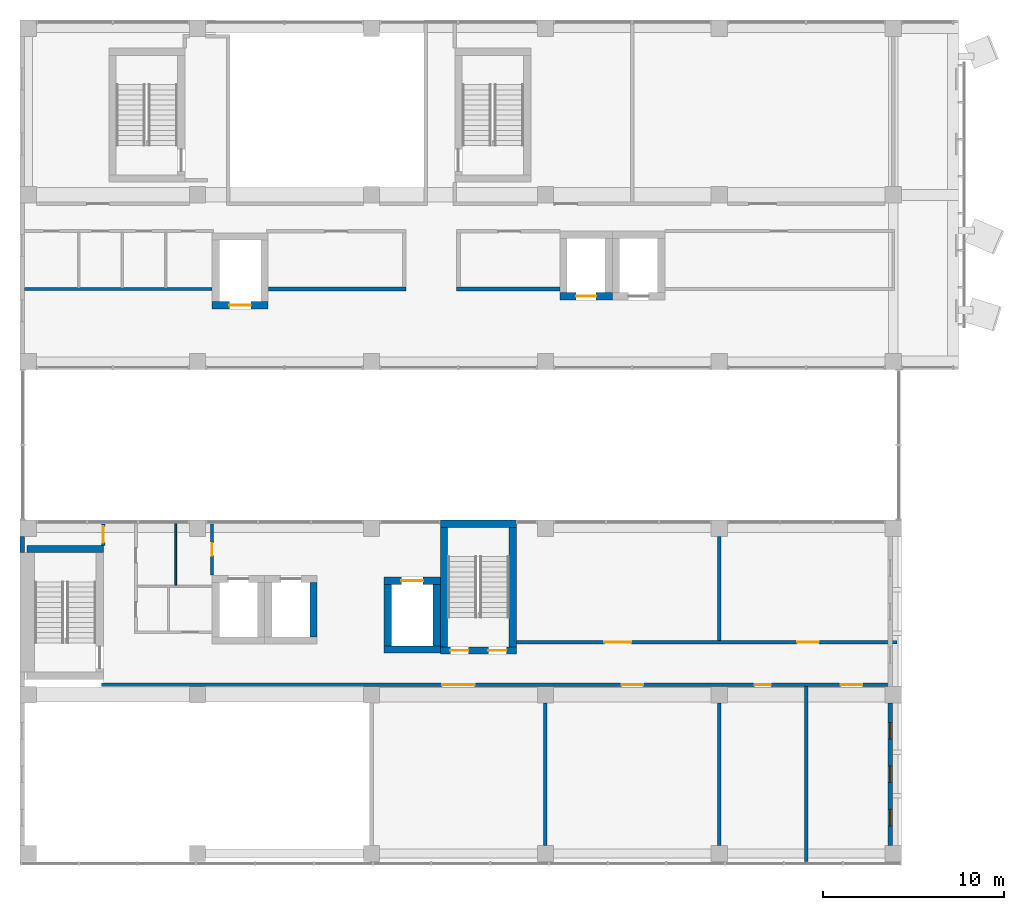
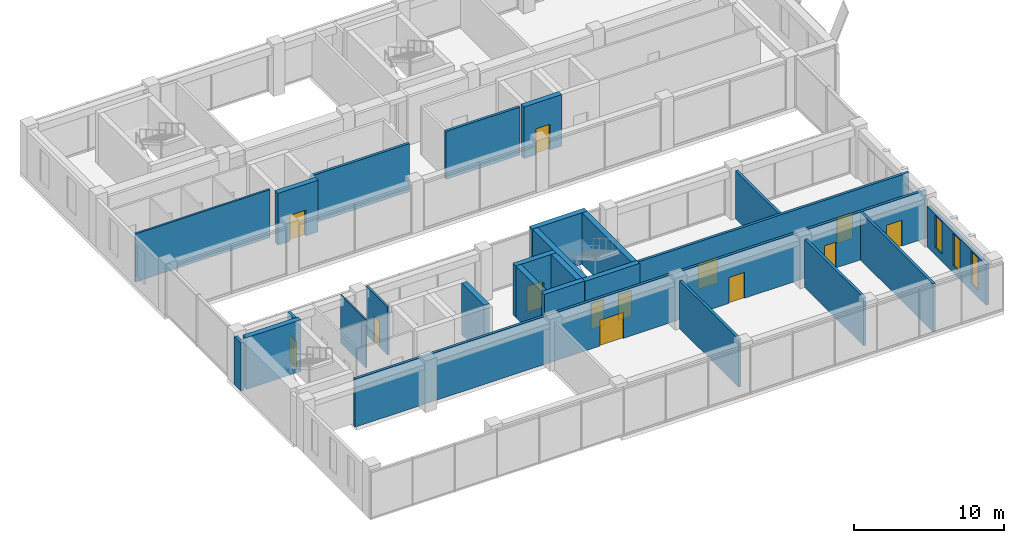
# One storey, part 28 of 37: 26 walls, 13 doors, 3 windows, 16 openings.
"""IFC4 building model written with IfcOpenShell, lengths in metres."""

from ifc_helpers import new_model, si_unit, direction, frame, frame_2d, origin, place, context, subcontext, project, spatial, rectangle, extrude, material, layer, layer_set, layer_usage, type_object, element, fill, save


model = new_model("IFC4")

# Units and contexts
model_context = context("Model", 3, precision=1e-05, world=origin(), true_north=direction((0.0, 1.0)))
body_context = subcontext(model_context, "Body", "Model", "MODEL_VIEW")
ifc_project = project(units=[si_unit("LENGTHUNIT", "METRE"), si_unit("AREAUNIT", "SQUARE_METRE"), si_unit("VOLUMEUNIT", "CUBIC_METRE"), si_unit("PLANEANGLEUNIT", "RADIAN"), si_unit("MASSUNIT", "GRAM", prefix="KILO")], contexts=[model_context])

# Site, building, storey
site_placement = place(None, origin())
site = spatial("IfcSite", under=ifc_project, at=site_placement, CompositionType="ELEMENT")
building_placement = place(site_placement, origin())
building = spatial("IfcBuilding", under=site, at=building_placement, Name="Nzadi Deep Aquarium and Research Tower", CompositionType="ELEMENT")
storey_placement = place(building_placement, frame((0.0, 0.0, 61.300048828125)))
storey = spatial("IfcBuildingStorey", under=building, at=storey_placement, Name="L12", CompositionType="ELEMENT", Elevation=61.300048828125)

# Wall
ifc_material_1 = material(Name="Graphite aluminium shingle", Category="aluminium")
ifc_layer_1 = layer(ifc_material_1, 0.050048828125, Category="cladding")
ifc_material_2 = material(Name="Concrete C35/45", Category="concrete")
ifc_layer_2 = layer(ifc_material_2, 0.10009765625, Category="cladding")
ifc_material_3 = material(Name="Mineral wool insulation")
ifc_layer_3 = layer(ifc_material_3, 0.070068359375, Category="insulation")
ifc_material_4 = material(Name="Gypsum board lining")
ifc_layer_4 = layer(ifc_material_4, 0.030029296875, Category="lining")
ifc_layer_set_1 = layer_set([ifc_layer_1, ifc_layer_2, ifc_layer_3, ifc_layer_4], Name="Graphite aluminium shingle, Concrete C35/45, Mineral wool insulation, Gypsum board lining")
ifc_layer_usage_1 = layer_usage(ifc_layer_set_1, "AXIS2", "POSITIVE", -0.125)
wall_type_1 = type_object("IfcWallType", Name="End wall shingle over board-formed concrete 250", PredefinedType="ELEMENTEDWALL", material=ifc_layer_set_1)
wall_1_placement = place(storey_placement, frame((-0.074462890625, 17.949951171875, 0.0), z_axis=(0.0, 0.0, 1.0), x_axis=(0.0, -1.0, 0.0)))
element("IfcWall", 1, at=wall_1_placement, inside=storey, type_object=wall_type_1, material=ifc_layer_usage_1, Name="End wall blade A west L12", PredefinedType="ELEMENTEDWALL", context=body_context, shape_type="SweptSolid", body=[
    extrude(rectangle(XDim=0.89990234375, YDim=0.25, at=frame_2d((0.449951171875, 0.0))), origin(), (0.0, 0.0, 1.0), 3.89990234375),
])

# Wall, openings, windows
ifc_layer_5 = layer(ifc_material_1, 0.050048828125, Category="cladding")
ifc_layer_6 = layer(ifc_material_2, 0.10009765625, Category="cladding")
ifc_layer_7 = layer(ifc_material_3, 0.070068359375, Category="insulation")
ifc_layer_8 = layer(ifc_material_4, 0.030029296875, Category="lining")
ifc_layer_set_2 = layer_set([ifc_layer_5, ifc_layer_6, ifc_layer_7, ifc_layer_8], Name="Graphite aluminium shingle, Concrete C35/45, Mineral wool insulation, Gypsum board lining")
ifc_layer_usage_2 = layer_usage(ifc_layer_set_2, "AXIS2", "POSITIVE", -0.125)
wall_type_2 = type_object("IfcWallType", Name="End wall shingle over board-formed concrete 250, 3.30 m high", PredefinedType="ELEMENTEDWALL", material=ifc_layer_set_2)
wall_2_placement = place(storey_placement, frame((47.824951171875, 0.89990234375, 0.0), z_axis=(0.0, 0.0, 1.0), x_axis=(0.0, 1.0, 0.0)))
wall_2 = element("IfcWall", 2, at=wall_2_placement, inside=storey, type_object=wall_type_2, material=ifc_layer_usage_2, Name="End wall blade A east L12", PredefinedType="ELEMENTEDWALL", context=body_context, shape_type="SweptSolid", body=[
    extrude(rectangle(XDim=7.85009765625, YDim=0.25, at=frame_2d((3.925048828125, 0.0))), origin(), (0.0, 0.0, 1.0), 3.300048828125),
])
opening_1_placement = place(wall_2_placement, frame((1.074951171875, 0.0, 0.60009765625)))
opening_1 = element("IfcOpeningElement", 3, at=opening_1_placement, cuts=wall_2, Name="Opening WN03", PredefinedType="OPENING", context=body_context, shape_type="SweptSolid", body=[
    extrude(rectangle(XDim=0.89990234375, YDim=2.60009765625, at=frame_2d((0.449951171875, 1.300048828125))), frame((0.0, 0.135009765625, 0.0), z_axis=(0.0, -1.0, 0.0), x_axis=(1.0, 0.0, 0.0)), (0.0, 0.0, 1.0), 0.27001953125),
])
opening_2_placement = place(wall_2_placement, frame((3.47509765625, 0.0, 0.60009765625)))
opening_2 = element("IfcOpeningElement", 4, at=opening_2_placement, cuts=wall_2, Name="Opening WN03", PredefinedType="OPENING", context=body_context, shape_type="SweptSolid", body=[
    extrude(rectangle(XDim=0.89990234375, YDim=2.60009765625, at=frame_2d((0.449951171875, 1.300048828125))), frame((0.0, 0.135009765625, 0.0), z_axis=(0.0, -1.0, 0.0), x_axis=(1.0, 0.0, 0.0)), (0.0, 0.0, 1.0), 0.27001953125),
])
opening_3_placement = place(wall_2_placement, frame((5.875, 0.0, 0.60009765625)))
opening_3 = element("IfcOpeningElement", 5, at=opening_3_placement, cuts=wall_2, Name="Opening WN03", PredefinedType="OPENING", context=body_context, shape_type="SweptSolid", body=[
    extrude(rectangle(XDim=0.89990234375, YDim=2.60009765625, at=frame_2d((0.449951171875, 1.300048828125))), frame((0.0, 0.135009765625, 0.0), z_axis=(0.0, -1.0, 0.0), x_axis=(1.0, 0.0, 0.0)), (0.0, 0.0, 1.0), 0.27001953125),
])
ifc_material_5 = material(Name="Aluminium window, sage tint glazing", Category="aluminium")
window_type = type_object("IfcWindowType", Name="Slot window 900x2600 sill 600", PartitioningType="SINGLE_PANEL", PredefinedType="WINDOW", material=ifc_material_5)
window_1_placement = place(opening_1_placement, origin())
window_1 = element("IfcWindow", 6, at=window_1_placement, inside=storey, type_object=window_type, Name="Slot window L12 AE", OverallHeight=2.60009765625, OverallWidth=0.89990234375, PartitioningType="SINGLE_PANEL", PredefinedType="WINDOW", context=body_context, shape_type="SweptSolid", body=[
    extrude(rectangle(XDim=0.89990234375, YDim=2.60009765625, at=frame_2d((0.449951171875, 1.300048828125))), frame((0.0, 0.030029296875, 0.0), z_axis=(0.0, -1.0, 0.0), x_axis=(1.0, 0.0, 0.0)), (0.0, 0.0, 1.0), 0.06005859375),
])
fill(opening_1, window_1)
window_2_placement = place(opening_2_placement, origin())
window_2 = element("IfcWindow", 7, at=window_2_placement, inside=storey, type_object=window_type, Name="Slot window L12 AE", OverallHeight=2.60009765625, OverallWidth=0.89990234375, PartitioningType="SINGLE_PANEL", PredefinedType="WINDOW", context=body_context, shape_type="SweptSolid", body=[
    extrude(rectangle(XDim=0.89990234375, YDim=2.60009765625, at=frame_2d((0.449951171875, 1.300048828125))), frame((0.0, 0.030029296875, 0.0), z_axis=(0.0, -1.0, 0.0), x_axis=(1.0, 0.0, 0.0)), (0.0, 0.0, 1.0), 0.06005859375),
])
fill(opening_2, window_2)
window_3_placement = place(opening_3_placement, origin())
window_3 = element("IfcWindow", 8, at=window_3_placement, inside=storey, type_object=window_type, Name="Slot window L12 AE", OverallHeight=2.60009765625, OverallWidth=0.89990234375, PartitioningType="SINGLE_PANEL", PredefinedType="WINDOW", context=body_context, shape_type="SweptSolid", body=[
    extrude(rectangle(XDim=0.89990234375, YDim=2.60009765625, at=frame_2d((0.449951171875, 1.300048828125))), frame((0.0, 0.030029296875, 0.0), z_axis=(0.0, -1.0, 0.0), x_axis=(1.0, 0.0, 0.0)), (0.0, 0.0, 1.0), 0.06005859375),
])
fill(opening_3, window_3)

# Walls
ifc_material_6 = material(Name="Blockwork masonry", Category="masonry")
ifc_layer_9 = layer(ifc_material_6, 0.10009765625)
ifc_layer_set_3 = layer_set([ifc_layer_9], Name="Blockwork masonry")
wall_type_3 = type_object("IfcWallType", Name="Partition 100 EI 30", PredefinedType="PARTITIONING", material=ifc_layer_set_3)
wall_3_placement = place(storey_placement, frame((8.39990234375, 15.25, 0.0), z_axis=(0.0, 0.0, 1.0), x_axis=(0.0, 1.0, 0.0)))
element("IfcWall", 9, at=wall_3_placement, inside=storey, type_object=wall_type_3, Name="W-Z1-L12-P013", PredefinedType="PARTITIONING", context=body_context, shape_type="SweptSolid", body=[
    extrude(rectangle(XDim=3.39404296875, YDim=0.10009765625, at=frame_2d((1.697021484375, 0.0))), origin(), (0.0, 0.0, 1.0), 3.89990234375),
])
ifc_material_7 = material(Name="Blockwork masonry", Category="masonry")
ifc_layer_10 = layer(ifc_material_7, 0.14990234375)
ifc_layer_set_4 = layer_set([ifc_layer_10], Name="Blockwork masonry")
wall_type_4 = type_object("IfcWallType", Name="Partition 150 EI 60", PredefinedType="PARTITIONING", material=ifc_layer_set_4)
wall_4_placement = place(storey_placement, frame((0.055908203125, 31.60009765625, 0.0), z_axis=(0.0, 0.0, 1.0), x_axis=(1.0, 0.0, 0.0)))
element("IfcWall", 10, at=wall_4_placement, inside=storey, type_object=wall_type_4, Name="W-Z1-L12-P001", PredefinedType="PARTITIONING", context=body_context, shape_type="SweptSolid", body=[
    extrude(rectangle(XDim=10.338134765625, YDim=0.14990234375, at=frame_2d((5.1689453125, 0.0))), origin(), (0.0, 0.0, 1.0), 3.89990234375),
])

# Wall, opening, door
wall_5_placement = place(storey_placement, frame((10.39990234375, 15.805908203125, 0.0), z_axis=(0.0, 0.0, 1.0), x_axis=(0.0, 1.0, 0.0)))
wall_5 = element("IfcWall", 11, at=wall_5_placement, inside=storey, type_object=wall_type_4, Name="W-Z1-L12-P018", PredefinedType="PARTITIONING", context=body_context, shape_type="SweptSolid", body=[
    extrude(rectangle(XDim=2.838134765625, YDim=0.14990234375, at=frame_2d((1.4189453125, 0.0))), origin(), (0.0, 0.0, 1.0), 3.89990234375),
])
opening_4_placement = place(wall_5_placement, frame((1.073974609375, 0.0, 0.0)))
opening_4 = element("IfcOpeningElement", 12, at=opening_4_placement, cuts=wall_5, Name="Opening D131005", PredefinedType="OPENING", context=body_context, shape_type="SweptSolid", body=[
    extrude(rectangle(XDim=0.699951171875, YDim=2.10009765625, at=frame_2d((0.35009765625, 1.050048828125))), frame((0.0, 0.0849609375, 0.0), z_axis=(0.0, -1.0, 0.0), x_axis=(1.0, 0.0, 0.0)), (0.0, 0.0, 1.0), 0.169921875),
])
ifc_material_8 = material(Name="Fire-rated steel door", Category="steel")
ifc_layer_11 = layer(ifc_material_8, 0.050048828125)
ifc_layer_set_5 = layer_set([ifc_layer_11], Name="Fire-rated steel door")
door_type_1 = type_object("IfcDoorType", Name="Door 700x2100 EI 60 single", OperationType="SINGLE_SWING_LEFT", PredefinedType="DOOR", material=ifc_layer_set_5)
door_1_placement = place(opening_4_placement, origin())
door_1 = element("IfcDoor", 13, at=door_1_placement, inside=storey, type_object=door_type_1, Name="D131005", OperationType="SINGLE_SWING_LEFT", OverallHeight=2.10009765625, OverallWidth=0.699951171875, PredefinedType="DOOR", context=body_context, shape_type="SweptSolid", body=[
    extrude(rectangle(XDim=0.699951171875, YDim=2.10009765625, at=frame_2d((0.35009765625, 1.050048828125))), frame((0.0, 0.02490234375, 0.0), z_axis=(0.0, -1.0, 0.0), x_axis=(1.0, 0.0, 0.0)), (0.0, 0.0, 1.0), 0.050048828125),
])
fill(opening_4, door_1)

# Wall, openings, doors
ifc_material_9 = material(Name="Blockwork masonry", Category="masonry")
ifc_layer_12 = layer(ifc_material_9, 0.199951171875)
ifc_layer_set_6 = layer_set([ifc_layer_12], Name="Blockwork masonry")
wall_type_5 = type_object("IfcWallType", Name="Partition 200 EI 120", PredefinedType="PARTITIONING", material=ifc_layer_set_6)
wall_6_placement = place(storey_placement, frame((4.300048828125, 9.75, 0.0), z_axis=(0.0, 0.0, 1.0), x_axis=(1.0, 0.0, 0.0)))
wall_6 = element("IfcWall", 14, at=wall_6_placement, inside=storey, type_object=wall_type_5, Name="W-Z1-L12-P005", PredefinedType="PARTITIONING", context=body_context, shape_type="SweptSolid", body=[
    extrude(rectangle(XDim=43.89404296875, YDim=0.199951171875, at=frame_2d((21.947021484375, 0.0))), origin(), (0.0, 0.0, 1.0), 3.89990234375),
])
opening_5_placement = place(wall_6_placement, frame((18.800048828125, 0.0, 0.0)))
opening_5 = element("IfcOpeningElement", 15, at=opening_5_placement, cuts=wall_6, Name="Opening D131006", PredefinedType="OPENING", context=body_context, shape_type="SweptSolid", body=[
    extrude(rectangle(XDim=1.800048828125, YDim=2.10009765625, at=frame_2d((0.89990234375, 1.050048828125))), frame((0.0, 0.110107421875, 0.0), z_axis=(0.0, -1.0, 0.0), x_axis=(1.0, 0.0, 0.0)), (0.0, 0.0, 1.0), 0.22021484375),
])
opening_6_placement = place(wall_6_placement, frame((28.699951171875, 0.0, 0.0)))
opening_6 = element("IfcOpeningElement", 16, at=opening_6_placement, cuts=wall_6, Name="Opening D131007", PredefinedType="OPENING", context=body_context, shape_type="SweptSolid", body=[
    extrude(rectangle(XDim=1.199951171875, YDim=2.10009765625, at=frame_2d((0.60009765625, 1.050048828125))), frame((0.0, 0.110107421875, 0.0), z_axis=(0.0, -1.0, 0.0), x_axis=(1.0, 0.0, 0.0)), (0.0, 0.0, 1.0), 0.22021484375),
])
opening_7_placement = place(wall_6_placement, frame((36.050048828125, 0.0, 0.0)))
opening_7 = element("IfcOpeningElement", 17, at=opening_7_placement, cuts=wall_6, Name="Opening D131008", PredefinedType="OPENING", context=body_context, shape_type="SweptSolid", body=[
    extrude(rectangle(XDim=0.89990234375, YDim=2.10009765625, at=frame_2d((0.449951171875, 1.050048828125))), frame((0.0, 0.110107421875, 0.0), z_axis=(0.0, -1.0, 0.0), x_axis=(1.0, 0.0, 0.0)), (0.0, 0.0, 1.0), 0.22021484375),
])
opening_8_placement = place(wall_6_placement, frame((40.800048828125, 0.0, 0.0)))
opening_8 = element("IfcOpeningElement", 18, at=opening_8_placement, cuts=wall_6, Name="Opening D131009", PredefinedType="OPENING", context=body_context, shape_type="SweptSolid", body=[
    extrude(rectangle(XDim=1.199951171875, YDim=2.10009765625, at=frame_2d((0.60009765625, 1.050048828125))), frame((0.0, 0.110107421875, 0.0), z_axis=(0.0, -1.0, 0.0), x_axis=(1.0, 0.0, 0.0)), (0.0, 0.0, 1.0), 0.22021484375),
])
ifc_material_10 = material(Name="Fire-rated steel door", Category="steel")
ifc_layer_13 = layer(ifc_material_10, 0.050048828125)
ifc_layer_set_7 = layer_set([ifc_layer_13], Name="Fire-rated steel door")
door_type_2 = type_object("IfcDoorType", Name="Door 1200x2100 EI 120 single", OperationType="SINGLE_SWING_LEFT", PredefinedType="DOOR", material=ifc_layer_set_7)
door_2_placement = place(opening_6_placement, origin())
door_2 = element("IfcDoor", 19, at=door_2_placement, inside=storey, type_object=door_type_2, Name="D131007", OperationType="SINGLE_SWING_RIGHT", OverallHeight=2.10009765625, OverallWidth=1.199951171875, PredefinedType="DOOR", context=body_context, shape_type="SweptSolid", body=[
    extrude(rectangle(XDim=1.199951171875, YDim=2.10009765625, at=frame_2d((0.60009765625, 1.050048828125))), frame((0.0, 0.02490234375, 0.0), z_axis=(0.0, -1.0, 0.0), x_axis=(1.0, 0.0, 0.0)), (0.0, 0.0, 1.0), 0.050048828125),
])
fill(opening_6, door_2)
door_3_placement = place(opening_8_placement, origin())
door_3 = element("IfcDoor", 20, at=door_3_placement, inside=storey, type_object=door_type_2, Name="D131009", OperationType="SINGLE_SWING_LEFT", OverallHeight=2.10009765625, OverallWidth=1.199951171875, PredefinedType="DOOR", context=body_context, shape_type="SweptSolid", body=[
    extrude(rectangle(XDim=1.199951171875, YDim=2.10009765625, at=frame_2d((0.60009765625, 1.050048828125))), frame((0.0, 0.02490234375, 0.0), z_axis=(0.0, -1.0, 0.0), x_axis=(1.0, 0.0, 0.0)), (0.0, 0.0, 1.0), 0.050048828125),
])
fill(opening_8, door_3)
ifc_material_11 = material(Name="Fire-rated steel door", Category="steel")
ifc_layer_14 = layer(ifc_material_11, 0.050048828125)
ifc_layer_set_8 = layer_set([ifc_layer_14], Name="Fire-rated steel door")
door_type_3 = type_object("IfcDoorType", Name="Door 1800x2100 EI 120 double", OperationType="DOUBLE_DOOR_SINGLE_SWING", PredefinedType="DOOR", material=ifc_layer_set_8)
door_4_placement = place(opening_5_placement, origin())
door_4 = element("IfcDoor", 21, at=door_4_placement, inside=storey, type_object=door_type_3, Name="D131006", OperationType="DOUBLE_DOOR_SINGLE_SWING", OverallHeight=2.10009765625, OverallWidth=1.800048828125, PredefinedType="DOOR", context=body_context, shape_type="SweptSolid", body=[
    extrude(rectangle(XDim=1.800048828125, YDim=2.10009765625, at=frame_2d((0.89990234375, 1.050048828125))), frame((0.0, 0.02490234375, 0.0), z_axis=(0.0, -1.0, 0.0), x_axis=(1.0, 0.0, 0.0)), (0.0, 0.0, 1.0), 0.050048828125),
])
fill(opening_5, door_4)
ifc_material_12 = material(Name="Fire-rated steel door", Category="steel")
ifc_layer_15 = layer(ifc_material_12, 0.050048828125)
ifc_layer_set_9 = layer_set([ifc_layer_15], Name="Fire-rated steel door")
door_type_4 = type_object("IfcDoorType", Name="Door 900x2100 EI 120 single", OperationType="SINGLE_SWING_LEFT", PredefinedType="DOOR", material=ifc_layer_set_9)
door_5_placement = place(opening_7_placement, origin())
door_5 = element("IfcDoor", 22, at=door_5_placement, inside=storey, type_object=door_type_4, Name="D131008", OperationType="SINGLE_SWING_LEFT", OverallHeight=2.10009765625, OverallWidth=0.89990234375, PredefinedType="DOOR", context=body_context, shape_type="SweptSolid", body=[
    extrude(rectangle(XDim=0.89990234375, YDim=2.10009765625, at=frame_2d((0.449951171875, 1.050048828125))), frame((0.0, 0.02490234375, 0.0), z_axis=(0.0, -1.0, 0.0), x_axis=(1.0, 0.0, 0.0)), (0.0, 0.0, 1.0), 0.050048828125),
])
fill(opening_7, door_5)

# Wall, opening, door
wall_7_placement = place(storey_placement, frame((4.39990234375, 17.4560546875, 0.0), z_axis=(0.0, 0.0, 1.0), x_axis=(0.0, 1.0, 0.0)))
wall_7 = element("IfcWall", 23, at=wall_7_placement, inside=storey, type_object=wall_type_5, Name="W-Z1-L12-P006", PredefinedType="PARTITIONING", context=body_context, shape_type="SweptSolid", body=[
    extrude(rectangle(XDim=1.18798828125, YDim=0.199951171875, at=frame_2d((0.593994140625, 0.0))), origin(), (0.0, 0.0, 1.0), 3.89990234375),
])
opening_9_placement = place(wall_7_placement, frame((0.14404296875, 0.0, 0.0)))
opening_9 = element("IfcOpeningElement", 24, at=opening_9_placement, cuts=wall_7, Name="Opening D131001", PredefinedType="OPENING", context=body_context, shape_type="SweptSolid", body=[
    extrude(rectangle(XDim=0.89990234375, YDim=2.10009765625, at=frame_2d((0.449951171875, 1.050048828125))), frame((0.0, 0.110107421875, 0.0), z_axis=(0.0, -1.0, 0.0), x_axis=(1.0, 0.0, 0.0)), (0.0, 0.0, 1.0), 0.22021484375),
])
door_6_placement = place(opening_9_placement, origin())
door_6 = element("IfcDoor", 25, at=door_6_placement, inside=storey, type_object=door_type_4, Name="D131001", OperationType="SINGLE_SWING_LEFT", OverallHeight=2.10009765625, OverallWidth=0.89990234375, PredefinedType="DOOR", context=body_context, shape_type="SweptSolid", body=[
    extrude(rectangle(XDim=0.89990234375, YDim=2.10009765625, at=frame_2d((0.449951171875, 1.050048828125))), frame((0.0, 0.02490234375, 0.0), z_axis=(0.0, -1.0, 0.0), x_axis=(1.0, 0.0, 0.0)), (0.0, 0.0, 1.0), 0.050048828125),
])
fill(opening_9, door_6)

# Walls
wall_8_placement = place(storey_placement, frame((13.506103515625, 31.60009765625, 0.0), z_axis=(0.0, 0.0, 1.0), x_axis=(1.0, 0.0, 0.0)))
element("IfcWall", 26, at=wall_8_placement, inside=storey, type_object=wall_type_5, Name="W-Z1-L12-P022", PredefinedType="PARTITIONING", context=body_context, shape_type="SweptSolid", body=[
    extrude(rectangle(XDim=7.593994140625, YDim=0.199951171875, at=frame_2d((3.796875, 0.0))), origin(), (0.0, 0.0, 1.0), 3.89990234375),
])
wall_9_placement = place(storey_placement, frame((23.89990234375, 31.60009765625, 0.0), z_axis=(0.0, 0.0, 1.0), x_axis=(1.0, 0.0, 0.0)))
element("IfcWall", 27, at=wall_9_placement, inside=storey, type_object=wall_type_5, Name="W-Z1-L12-P030", PredefinedType="PARTITIONING", context=body_context, shape_type="SweptSolid", body=[
    extrude(rectangle(XDim=5.694091796875, YDim=0.199951171875, at=frame_2d((2.84716796875, 0.0))), origin(), (0.0, 0.0, 1.0), 3.89990234375),
])

# Wall, openings, doors
wall_10_placement = place(storey_placement, frame((27.2060546875, 12.10009765625, 0.0), z_axis=(0.0, 0.0, 1.0), x_axis=(1.0, 0.0, 0.0)))
wall_10 = element("IfcWall", 28, at=wall_10_placement, inside=storey, type_object=wall_type_5, Name="W-Z1-L12-P033", PredefinedType="PARTITIONING", context=body_context, shape_type="SweptSolid", body=[
    extrude(rectangle(XDim=20.988037109375, YDim=0.199951171875, at=frame_2d((10.494140625, 0.0))), origin(), (0.0, 0.0, 1.0), 3.89990234375),
])
opening_10_placement = place(wall_10_placement, frame((4.843994140625, 0.0, 0.0)))
opening_10 = element("IfcOpeningElement", 29, at=opening_10_placement, cuts=wall_10, Name="Opening D131010", PredefinedType="OPENING", context=body_context, shape_type="SweptSolid", body=[
    extrude(rectangle(XDim=1.5, YDim=2.10009765625, at=frame_2d((0.75, 1.050048828125))), frame((0.0, 0.110107421875, 0.0), z_axis=(0.0, -1.0, 0.0), x_axis=(1.0, 0.0, 0.0)), (0.0, 0.0, 1.0), 0.22021484375),
])
opening_11_placement = place(wall_10_placement, frame((15.493896484375, 0.0, 0.0)))
opening_11 = element("IfcOpeningElement", 30, at=opening_11_placement, cuts=wall_10, Name="Opening D131011", PredefinedType="OPENING", context=body_context, shape_type="SweptSolid", body=[
    extrude(rectangle(XDim=1.199951171875, YDim=2.10009765625, at=frame_2d((0.60009765625, 1.050048828125))), frame((0.0, 0.110107421875, 0.0), z_axis=(0.0, -1.0, 0.0), x_axis=(1.0, 0.0, 0.0)), (0.0, 0.0, 1.0), 0.22021484375),
])
door_7_placement = place(opening_11_placement, origin())
door_7 = element("IfcDoor", 31, at=door_7_placement, inside=storey, type_object=door_type_2, Name="D131011", OperationType="SINGLE_SWING_RIGHT", OverallHeight=2.10009765625, OverallWidth=1.199951171875, PredefinedType="DOOR", context=body_context, shape_type="SweptSolid", body=[
    extrude(rectangle(XDim=1.199951171875, YDim=2.10009765625, at=frame_2d((0.60009765625, 1.050048828125))), frame((0.0, 0.02490234375, 0.0), z_axis=(0.0, -1.0, 0.0), x_axis=(1.0, 0.0, 0.0)), (0.0, 0.0, 1.0), 0.050048828125),
])
fill(opening_11, door_7)
ifc_material_13 = material(Name="Fire-rated steel door", Category="steel")
ifc_layer_16 = layer(ifc_material_13, 0.050048828125)
ifc_layer_set_10 = layer_set([ifc_layer_16], Name="Fire-rated steel door")
door_type_5 = type_object("IfcDoorType", Name="Door 1500x2100 EI 120 double", OperationType="DOUBLE_DOOR_SINGLE_SWING", PredefinedType="DOOR", material=ifc_layer_set_10)
door_8_placement = place(opening_10_placement, origin())
door_8 = element("IfcDoor", 32, at=door_8_placement, inside=storey, type_object=door_type_5, Name="D131010", OperationType="DOUBLE_DOOR_SINGLE_SWING", OverallHeight=2.10009765625, OverallWidth=1.5, PredefinedType="DOOR", context=body_context, shape_type="SweptSolid", body=[
    extrude(rectangle(XDim=1.5, YDim=2.10009765625, at=frame_2d((0.75, 1.050048828125))), frame((0.0, 0.02490234375, 0.0), z_axis=(0.0, -1.0, 0.0), x_axis=(1.0, 0.0, 0.0)), (0.0, 0.0, 1.0), 0.050048828125),
])
fill(opening_10, door_8)

# Walls
for number, where, z_axis, x_axis, name in (
    (33, (28.800048828125, 0.89990234375, 0.0), (0.0, 0.0, 1.0), (0.0, 1.0, 0.0), "W-Z1-L12-P034"),
    (34, (38.39990234375, 0.89990234375, 0.0), (0.0, 0.0, 1.0), (0.0, 1.0, 0.0), "W-Z1-L12-P039"),
):
    element("IfcWall", number, at=place(storey_placement, frame(where, z_axis=z_axis, x_axis=x_axis)), inside=storey, type_object=wall_type_5, Name=name, PredefinedType="PARTITIONING", context=body_context, shape_type="SweptSolid", body=[
        extrude(rectangle(XDim=7.85009765625, YDim=0.199951171875, at=frame_2d((3.925048828125, 0.0))), origin(), (0.0, 0.0, 1.0), 3.89990234375),
    ])
wall_11_placement = place(storey_placement, frame((38.39990234375, 12.199951171875, 0.0), z_axis=(0.0, 0.0, 1.0), x_axis=(0.0, 1.0, 0.0)))
element("IfcWall", 35, at=wall_11_placement, inside=storey, type_object=wall_type_5, Name="W-Z1-L12-P040", PredefinedType="PARTITIONING", context=body_context, shape_type="SweptSolid", body=[
    extrude(rectangle(XDim=5.75, YDim=0.199951171875, at=frame_2d((2.875, 0.0))), origin(), (0.0, 0.0, 1.0), 3.89990234375),
])
wall_12_placement = place(storey_placement, frame((43.199951171875, 0.006103515625, 0.0), z_axis=(0.0, 0.0, 1.0), x_axis=(0.0, 1.0, 0.0)))
element("IfcWall", 36, at=wall_12_placement, inside=storey, type_object=wall_type_5, Name="W-Z1-L12-P042", PredefinedType="PARTITIONING", context=body_context, shape_type="SweptSolid", body=[
    extrude(rectangle(XDim=9.643798828125, YDim=0.199951171875, at=frame_2d((4.82177734375, 0.0))), origin(), (0.0, 0.0, 1.0), 3.89990234375),
])
ifc_material_14 = material(Name="Concrete C35/45", Category="concrete")
ifc_layer_17 = layer(ifc_material_14, 0.39990234375)
ifc_layer_set_11 = layer_set([ifc_layer_17], Name="Concrete C35/45")
wall_type_6 = type_object("IfcWallType", Name="RC core wall 400", PredefinedType="SHEAR", material=ifc_layer_set_11)
wall_13_placement = place(storey_placement, frame((0.199951171875, 17.25, 0.0), z_axis=(0.0, 0.0, 1.0), x_axis=(1.0, 0.0, 0.0)))
element("IfcWall", 37, at=wall_13_placement, inside=storey, type_object=wall_type_6, Name="W-CORE-ST-Z1-SW-L12-N", PredefinedType="SHEAR", context=body_context, shape_type="SweptSolid", body=[
    extrude(rectangle(XDim=4.199951171875, YDim=0.39990234375, at=frame_2d((2.10009765625, 0.0))), origin(), (0.0, 0.0, 1.0), 4.199951171875),
])

# Wall, openings, doors
wall_14_placement = place(storey_placement, frame((23.0, 11.64990234375, 0.0), z_axis=(0.0, 0.0, 1.0), x_axis=(1.0, 0.0, 0.0)))
wall_14 = element("IfcWall", 38, at=wall_14_placement, inside=storey, type_object=wall_type_6, Name="W-CORE-ST-Z1-SE-L12-S", PredefinedType="SHEAR", context=body_context, shape_type="SweptSolid", body=[
    extrude(rectangle(XDim=4.199951171875, YDim=0.39990234375, at=frame_2d((2.10009765625, 0.0))), origin(), (0.0, 0.0, 1.0), 4.199951171875),
])
opening_12_placement = place(wall_14_placement, frame((0.550048828125, 0.0, 0.0)))
opening_12 = element("IfcOpeningElement", 39, at=opening_12_placement, cuts=wall_14, Name="Opening DS-Z1-SE-L12A", PredefinedType="OPENING", context=body_context, shape_type="SweptSolid", body=[
    extrude(rectangle(XDim=1.0, YDim=2.10009765625, at=frame_2d((0.5, 1.050048828125))), frame((0.0, 0.2099609375, 0.0), z_axis=(0.0, -1.0, 0.0), x_axis=(1.0, 0.0, 0.0)), (0.0, 0.0, 1.0), 0.419921875),
])
opening_13_placement = place(wall_14_placement, frame((2.64990234375, 0.0, 0.0)))
opening_13 = element("IfcOpeningElement", 40, at=opening_13_placement, cuts=wall_14, Name="Opening DS-Z1-SE-L12B", PredefinedType="OPENING", context=body_context, shape_type="SweptSolid", body=[
    extrude(rectangle(XDim=1.0, YDim=2.10009765625, at=frame_2d((0.5, 1.050048828125))), frame((0.0, 0.2099609375, 0.0), z_axis=(0.0, -1.0, 0.0), x_axis=(1.0, 0.0, 0.0)), (0.0, 0.0, 1.0), 0.419921875),
])
ifc_material_15 = material(Name="Steel, powder coated", Category="steel")
door_type_6 = type_object("IfcDoorType", Name="STAIR DOOR 1000x2100 EI 60", OperationType="SINGLE_SWING_LEFT", PredefinedType="DOOR", material=ifc_material_15)
door_9_placement = place(opening_12_placement, origin())
door_9 = element("IfcDoor", 41, at=door_9_placement, inside=storey, type_object=door_type_6, Name="Stair door ST-Z1-SE L12 A", OperationType="SINGLE_SWING_RIGHT", OverallHeight=2.10009765625, OverallWidth=1.0, PredefinedType="DOOR", context=body_context, shape_type="SweptSolid", body=[
    extrude(rectangle(XDim=1.0, YDim=2.10009765625, at=frame_2d((0.5, 1.050048828125))), frame((0.0, 0.02490234375, 0.0), z_axis=(0.0, -1.0, 0.0), x_axis=(1.0, 0.0, 0.0)), (0.0, 0.0, 1.0), 0.050048828125),
])
fill(opening_12, door_9)
door_10_placement = place(opening_13_placement, origin())
door_10 = element("IfcDoor", 42, at=door_10_placement, inside=storey, type_object=door_type_6, Name="Stair door ST-Z1-SE L12 B", OperationType="SINGLE_SWING_LEFT", OverallHeight=2.10009765625, OverallWidth=1.0, PredefinedType="DOOR", context=body_context, shape_type="SweptSolid", body=[
    extrude(rectangle(XDim=1.0, YDim=2.10009765625, at=frame_2d((0.5, 1.050048828125))), frame((0.0, 0.02490234375, 0.0), z_axis=(0.0, -1.0, 0.0), x_axis=(1.0, 0.0, 0.0)), (0.0, 0.0, 1.0), 0.050048828125),
])
fill(opening_13, door_10)

# Walls
wall_15_placement = place(storey_placement, frame((23.0, 18.64990234375, 0.0), z_axis=(0.0, 0.0, 1.0), x_axis=(1.0, 0.0, 0.0)))
element("IfcWall", 43, at=wall_15_placement, inside=storey, type_object=wall_type_6, Name="W-CORE-ST-Z1-SE-L12-N", PredefinedType="SHEAR", context=body_context, shape_type="SweptSolid", body=[
    extrude(rectangle(XDim=4.199951171875, YDim=0.39990234375, at=frame_2d((2.10009765625, 0.0))), origin(), (0.0, 0.0, 1.0), 4.199951171875),
])
for number, where, z_axis, x_axis, name in (
    (44, (23.199951171875, 11.85009765625, 0.0), (0.0, 0.0, 1.0), (0.0, 1.0, 0.0), "W-CORE-ST-Z1-SE-L12-W"),
    (45, (27.0, 11.85009765625, 0.0), (0.0, 0.0, 1.0), (0.0, 1.0, 0.0), "W-CORE-ST-Z1-SE-L12-E"),
):
    element("IfcWall", number, at=place(storey_placement, frame(where, z_axis=z_axis, x_axis=x_axis)), inside=storey, type_object=wall_type_6, Name=name, PredefinedType="SHEAR", context=body_context, shape_type="SweptSolid", body=[
        extrude(rectangle(XDim=6.599853515625, YDim=0.39990234375, at=frame_2d((3.2998046875, 0.0))), origin(), (0.0, 0.0, 1.0), 4.199951171875),
    ])
wall_16_placement = place(storey_placement, frame((16.0, 12.39990234375, 0.0), z_axis=(0.0, 0.0, 1.0), x_axis=(0.0, 1.0, 0.0)))
element("IfcWall", 46, at=wall_16_placement, inside=storey, type_object=wall_type_6, Name="W-CORE-TL2-L12-E", PredefinedType="SHEAR", context=body_context, shape_type="SweptSolid", body=[
    extrude(rectangle(XDim=3.0, YDim=0.39990234375, at=frame_2d((1.5, 0.0))), origin(), (0.0, 0.0, 1.0), 4.199951171875),
])
wall_17_placement = place(storey_placement, frame((19.89990234375, 11.699951171875, 0.0), z_axis=(0.0, 0.0, 1.0), x_axis=(1.0, 0.0, 0.0)))
element("IfcWall", 47, at=wall_17_placement, inside=storey, type_object=wall_type_6, Name="W-CORE-FL1-L12-S", PredefinedType="SHEAR", context=body_context, shape_type="SweptSolid", body=[
    extrude(rectangle(XDim=3.10009765625, YDim=0.39990234375, at=frame_2d((1.550048828125, 0.0))), origin(), (0.0, 0.0, 1.0), 4.199951171875),
])

# Wall, opening, door
wall_18_placement = place(storey_placement, frame((19.89990234375, 15.5, 0.0), z_axis=(0.0, 0.0, 1.0), x_axis=(1.0, 0.0, 0.0)))
wall_18 = element("IfcWall", 48, at=wall_18_placement, inside=storey, type_object=wall_type_6, Name="W-CORE-FL1-L12-N", PredefinedType="SHEAR", context=body_context, shape_type="SweptSolid", body=[
    extrude(rectangle(XDim=3.10009765625, YDim=0.39990234375, at=frame_2d((1.550048828125, 0.0))), origin(), (0.0, 0.0, 1.0), 4.199951171875),
])
opening_14_placement = place(wall_18_placement, frame((0.949951171875, 0.0, 0.0)))
opening_14 = element("IfcOpeningElement", 49, at=opening_14_placement, cuts=wall_18, Name="Opening LD-FL1-L12", PredefinedType="OPENING", context=body_context, shape_type="SweptSolid", body=[
    extrude(rectangle(XDim=1.199951171875, YDim=2.10009765625, at=frame_2d((0.60009765625, 1.050048828125))), frame((0.0, 0.2099609375, 0.0), z_axis=(0.0, -1.0, 0.0), x_axis=(1.0, 0.0, 0.0)), (0.0, 0.0, 1.0), 0.419921875),
])
ifc_material_16 = material(Name="Stainless steel 1.4301", Category="steel")
door_type_7 = type_object("IfcDoorType", Name="LANDING DOOR 1200x2100", OperationType="DOUBLE_DOOR_SLIDING", PredefinedType="DOOR", material=ifc_material_16)
door_11_placement = place(opening_14_placement, origin())
door_11 = element("IfcDoor", 50, at=door_11_placement, inside=storey, type_object=door_type_7, Name="Landing door FL1 L12", OperationType="DOUBLE_DOOR_SLIDING", OverallHeight=2.10009765625, OverallWidth=1.199951171875, PredefinedType="DOOR", context=body_context, shape_type="SweptSolid", body=[
    extrude(rectangle(XDim=1.199951171875, YDim=2.10009765625, at=frame_2d((0.60009765625, 1.050048828125))), frame((0.0, 0.02490234375, 0.0), z_axis=(0.0, -1.0, 0.0), x_axis=(1.0, 0.0, 0.0)), (0.0, 0.0, 1.0), 0.050048828125),
])
fill(opening_14, door_11)

# Walls
for number, where, z_axis, x_axis, name in (
    (51, (20.10009765625, 11.89990234375, 0.0), (0.0, 0.0, 1.0), (0.0, 1.0, 0.0), "W-CORE-FL1-L12-W"),
    (52, (22.800048828125, 11.89990234375, 0.0), (0.0, 0.0, 1.0), (0.0, 1.0, 0.0), "W-CORE-FL1-L12-E"),
):
    element("IfcWall", number, at=place(storey_placement, frame(where, z_axis=z_axis, x_axis=x_axis)), inside=storey, type_object=wall_type_6, Name=name, PredefinedType="SHEAR", context=body_context, shape_type="SweptSolid", body=[
        extrude(rectangle(XDim=3.400146484375, YDim=0.39990234375, at=frame_2d((1.7001953125, 0.0))), origin(), (0.0, 0.0, 1.0), 4.199951171875),
    ])

# Wall, opening, door
wall_19_placement = place(storey_placement, frame((10.39990234375, 30.699951171875, 0.0), z_axis=(0.0, 0.0, 1.0), x_axis=(1.0, 0.0, 0.0)))
wall_19 = element("IfcWall", 53, at=wall_19_placement, inside=storey, type_object=wall_type_6, Name="W-CORE-FL2-L12-S", PredefinedType="SHEAR", context=body_context, shape_type="SweptSolid", body=[
    extrude(rectangle(XDim=3.10009765625, YDim=0.39990234375, at=frame_2d((1.550048828125, 0.0))), origin(), (0.0, 0.0, 1.0), 4.199951171875),
])
opening_15_placement = place(wall_19_placement, frame((0.949951171875, 0.0, 0.0)))
opening_15 = element("IfcOpeningElement", 54, at=opening_15_placement, cuts=wall_19, Name="Opening LD-FL2-L12", PredefinedType="OPENING", context=body_context, shape_type="SweptSolid", body=[
    extrude(rectangle(XDim=1.199951171875, YDim=2.10009765625, at=frame_2d((0.60009765625, 1.050048828125))), frame((0.0, 0.2099609375, 0.0), z_axis=(0.0, -1.0, 0.0), x_axis=(1.0, 0.0, 0.0)), (0.0, 0.0, 1.0), 0.419921875),
])
door_12_placement = place(opening_15_placement, origin())
door_12 = element("IfcDoor", 55, at=door_12_placement, inside=storey, type_object=door_type_7, Name="Landing door FL2 L12", OperationType="DOUBLE_DOOR_SLIDING", OverallHeight=2.10009765625, OverallWidth=1.199951171875, PredefinedType="DOOR", context=body_context, shape_type="SweptSolid", body=[
    extrude(rectangle(XDim=1.199951171875, YDim=2.10009765625, at=frame_2d((0.60009765625, 1.050048828125))), frame((0.0, 0.02490234375, 0.0), z_axis=(0.0, -1.0, 0.0), x_axis=(1.0, 0.0, 0.0)), (0.0, 0.0, 1.0), 0.050048828125),
])
fill(opening_15, door_12)

wall_20_placement = place(storey_placement, frame((29.60009765625, 31.199951171875, 0.0), z_axis=(0.0, 0.0, 1.0), x_axis=(1.0, 0.0, 0.0)))
wall_20 = element("IfcWall", 56, at=wall_20_placement, inside=storey, type_object=wall_type_6, Name="W-CORE-TL3-L12-S", PredefinedType="SHEAR", context=body_context, shape_type="SweptSolid", body=[
    extrude(rectangle(XDim=2.89990234375, YDim=0.39990234375, at=frame_2d((1.449951171875, 0.0))), origin(), (0.0, 0.0, 1.0), 4.199951171875),
])
opening_16_placement = place(wall_20_placement, frame((0.89990234375, 0.0, 0.0)))
opening_16 = element("IfcOpeningElement", 57, at=opening_16_placement, cuts=wall_20, Name="Opening LD-TL3-L12", PredefinedType="OPENING", context=body_context, shape_type="SweptSolid", body=[
    extrude(rectangle(XDim=1.10009765625, YDim=2.10009765625, at=frame_2d((0.550048828125, 1.050048828125))), frame((0.0, 0.2099609375, 0.0), z_axis=(0.0, -1.0, 0.0), x_axis=(1.0, 0.0, 0.0)), (0.0, 0.0, 1.0), 0.419921875),
])
ifc_material_17 = material(Name="Stainless steel 1.4301", Category="steel")
door_type_8 = type_object("IfcDoorType", Name="LANDING DOOR 1100x2100", OperationType="DOUBLE_DOOR_SLIDING", PredefinedType="DOOR", material=ifc_material_17)
door_13_placement = place(opening_16_placement, origin())
door_13 = element("IfcDoor", 58, at=door_13_placement, inside=storey, type_object=door_type_8, Name="Landing door TL3 L12", OperationType="DOUBLE_DOOR_SLIDING", OverallHeight=2.10009765625, OverallWidth=1.10009765625, PredefinedType="DOOR", context=body_context, shape_type="SweptSolid", body=[
    extrude(rectangle(XDim=1.10009765625, YDim=2.10009765625, at=frame_2d((0.550048828125, 1.050048828125))), frame((0.0, 0.02490234375, 0.0), z_axis=(0.0, -1.0, 0.0), x_axis=(1.0, 0.0, 0.0)), (0.0, 0.0, 1.0), 0.050048828125),
])
fill(opening_16, door_13)

save(model, "model.ifc")
